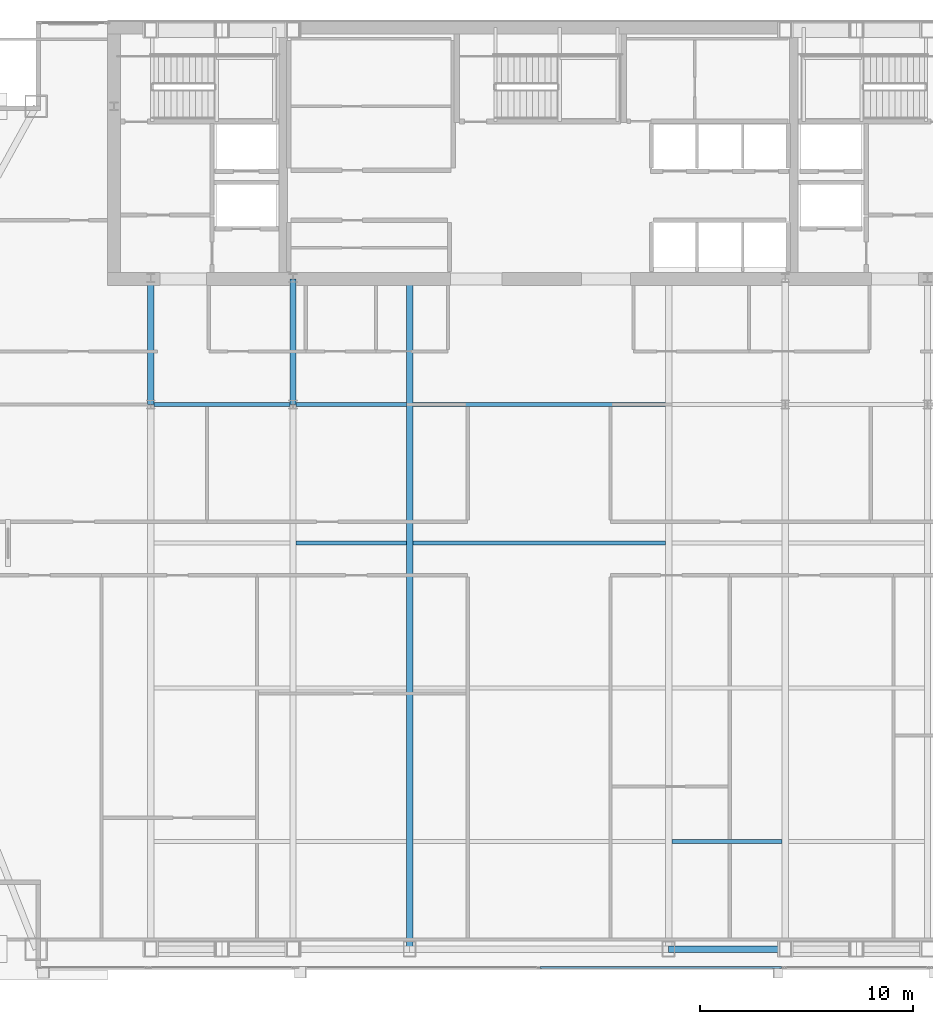
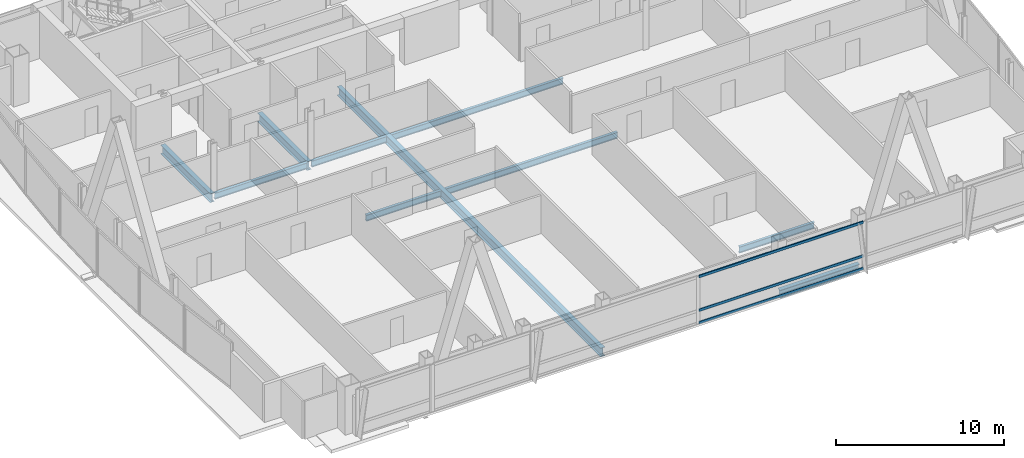
# One storey, part 13 of 30: 10 beams, 3 members, 1 element without a shape of its own.
"""IFC4 building model written with IfcOpenShell, lengths in metres."""

from ifc_helpers import new_model, si_unit, direction, frame, origin, origin_2d, place, context, subcontext, project, spatial, hollow_rectangle, i_section, extrude, material, material_profile, profile_set, type_object, element, aggregate, save


model = new_model("IFC4")

# Units and contexts
model_context = context("Model", 3, precision=1e-05, world=origin(), true_north=direction((0.0, 1.0)))
body_context = subcontext(model_context, "Body", "Model", "MODEL_VIEW")
ifc_project = project(units=[si_unit("LENGTHUNIT", "METRE"), si_unit("AREAUNIT", "SQUARE_METRE"), si_unit("VOLUMEUNIT", "CUBIC_METRE"), si_unit("PLANEANGLEUNIT", "RADIAN"), si_unit("MASSUNIT", "GRAM", prefix="KILO")], contexts=[model_context])

# Site, building, storey
site_placement = place(None, origin())
site = spatial("IfcSite", under=ifc_project, at=site_placement, CompositionType="ELEMENT")
building_placement = place(site_placement, origin())
building = spatial("IfcBuilding", under=site, at=building_placement, Name="Khoronbel Lancet Exchange", CompositionType="ELEMENT")
storey_placement = place(building_placement, frame((0.0, 0.0, 239.0)))
storey = spatial("IfcBuildingStorey", under=building, at=storey_placement, Name="L61", CompositionType="ELEMENT", Elevation=239.0)

# Beams
ifc_material_1 = material(Name="Steel S355", Category="steel")
ifc_material_profile_1 = material_profile(ifc_material_1, i_section(OverallWidth=0.300048828125, OverallDepth=0.64990234375, WebThickness=0.01611328125, FlangeThickness=0.031005859375, at=origin_2d()), Name="HEB 650")
ifc_profile_set_1 = profile_set([ifc_material_profile_1], Name="Steel S355")
beam_type_1 = type_object("IfcBeamType", Name="BM-BG4", PredefinedType="BEAM", material=ifc_profile_set_1)
for number, where, z_axis, x_axis, name in (
    (1, (18.22509765625, 35.699951171875, -0.485107421875), (0.0, 1.0, 0.0), (-1.0, 0.0, 0.0), "Level L61 spine tie girder GN1"),
    (2, (24.89990234375, 35.699951171875, -0.485107421875), (0.0, 1.0, 0.0), (-1.0, 0.0, 0.0), "Level L61 spine tie girder GN2"),
):
    element("IfcBeam", number, at=place(storey_placement, frame(where, z_axis=z_axis, x_axis=x_axis)), inside=storey, type_object=beam_type_1, Name=name, PredefinedType="BEAM", context=body_context, shape_type="SweptSolid", body=[
        extrude(i_section(OverallWidth=0.300048828125, OverallDepth=0.64990234375, WebThickness=0.01611328125, FlangeThickness=0.031005859375, at=origin_2d()), origin(), (0.0, 0.0, 1.0), 5.900146484375),
    ])
beam_1_placement = place(storey_placement, frame((30.375, 10.14990234375, -0.485107421875), z_axis=(0.0, 1.0, 0.0), x_axis=(-1.0, 0.0, 0.0)))
element("IfcBeam", 3, at=beam_1_placement, inside=storey, type_object=beam_type_1, Name="Level L61 primary floor girder G3", PredefinedType="BEAM", context=body_context, shape_type="SweptSolid", body=[
    extrude(i_section(OverallWidth=0.300048828125, OverallDepth=0.64990234375, WebThickness=0.01611328125, FlangeThickness=0.031005859375, at=origin_2d()), origin(), (0.0, 0.0, 1.0), 31.4501953125),
])
ifc_material_profile_2 = material_profile(ifc_material_1, i_section(OverallWidth=0.18994140625, OverallDepth=0.449951171875, WebThickness=0.009521484375, FlangeThickness=0.0146484375, at=origin_2d()), Name="IPE 450")
ifc_profile_set_2 = profile_set([ifc_material_profile_2], Name="Steel S355")
beam_type_2 = type_object("IfcBeamType", Name="BM-BJ4", PredefinedType="JOIST", material=ifc_profile_set_2)
for number, where, z_axis, x_axis, name in (
    (4, (42.675048828125, 15.199951171875, -0.385009765625), (1.0, 0.0, 0.0), (0.0, 1.0, 0.0), "Level L61 secondary composite joist J04"),
    (5, (25.050048828125, 29.199951171875, -0.385009765625), (1.0, 0.0, 0.0), (0.0, 1.0, 0.0), "Level L61 secondary composite joist J12"),
):
    element("IfcBeam", number, at=place(storey_placement, frame(where, z_axis=z_axis, x_axis=x_axis)), inside=storey, type_object=beam_type_2, Name=name, PredefinedType="JOIST", context=body_context, shape_type="SweptSolid", body=[
        extrude(i_section(OverallWidth=0.18994140625, OverallDepth=0.449951171875, WebThickness=0.009521484375, FlangeThickness=0.0146484375, at=origin_2d()), origin(), (0.0, 0.0, 1.0), 5.175048828125),
    ])
beam_2_placement = place(storey_placement, frame((30.52490234375, 29.199951171875, -0.385009765625), z_axis=(1.0, 0.0, 0.0), x_axis=(0.0, 1.0, 0.0)))
element("IfcBeam", 6, at=beam_2_placement, inside=storey, type_object=beam_type_2, Name="Level L61 secondary composite joist J13", PredefinedType="JOIST", context=body_context, shape_type="SweptSolid", body=[
    extrude(i_section(OverallWidth=0.18994140625, OverallDepth=0.449951171875, WebThickness=0.009521484375, FlangeThickness=0.0146484375, at=origin_2d()), origin(), (0.0, 0.0, 1.0), 11.85009765625),
])
beam_3_placement = place(storey_placement, frame((18.375, 35.699951171875, -0.385009765625), z_axis=(1.0, 0.0, 0.0), x_axis=(0.0, 1.0, 0.0)))
element("IfcBeam", 7, at=beam_3_placement, inside=storey, type_object=beam_type_2, Name="Level L61 secondary composite joist J16", PredefinedType="JOIST", context=body_context, shape_type="SweptSolid", body=[
    extrude(i_section(OverallWidth=0.18994140625, OverallDepth=0.449951171875, WebThickness=0.009521484375, FlangeThickness=0.0146484375, at=origin_2d()), origin(), (0.0, 0.0, 1.0), 6.375),
])
beam_4_placement = place(storey_placement, frame((25.050048828125, 35.699951171875, -0.385009765625), z_axis=(1.0, 0.0, 0.0), x_axis=(0.0, 1.0, 0.0)))
element("IfcBeam", 8, at=beam_4_placement, inside=storey, type_object=beam_type_2, Name="Level L61 secondary composite joist J17", PredefinedType="JOIST", context=body_context, shape_type="SweptSolid", body=[
    extrude(i_section(OverallWidth=0.18994140625, OverallDepth=0.449951171875, WebThickness=0.009521484375, FlangeThickness=0.0146484375, at=origin_2d()), origin(), (0.0, 0.0, 1.0), 5.175048828125),
])
beam_5_placement = place(storey_placement, frame((30.52490234375, 35.699951171875, -0.385009765625), z_axis=(1.0, 0.0, 0.0), x_axis=(0.0, 1.0, 0.0)))
element("IfcBeam", 9, at=beam_5_placement, inside=storey, type_object=beam_type_2, Name="Level L61 secondary composite joist J18", PredefinedType="JOIST", context=body_context, shape_type="SweptSolid", body=[
    extrude(i_section(OverallWidth=0.18994140625, OverallDepth=0.449951171875, WebThickness=0.009521484375, FlangeThickness=0.0146484375, at=origin_2d()), origin(), (0.0, 0.0, 1.0), 11.85009765625),
])
ifc_material_profile_3 = material_profile(ifc_material_1, i_section(OverallWidth=0.300048828125, OverallDepth=0.60009765625, WebThickness=0.015380859375, FlangeThickness=0.030029296875, at=origin_2d()), Name="HEB 600")
ifc_profile_set_3 = profile_set([ifc_material_profile_3], Name="Steel S355")
beam_type_3 = type_object("IfcBeamType", Name="BM-BSP2", PredefinedType="SPANDREL", material=ifc_profile_set_3)
beam_6_placement = place(storey_placement, frame((42.52490234375, 10.14990234375, -0.4599609375), z_axis=(1.0, 0.0, 0.0), x_axis=(0.0, 1.0, 0.0)))
element("IfcBeam", 10, at=beam_6_placement, inside=storey, type_object=beam_type_3, Name="Level L61 perimeter spandrel beam SP05", PredefinedType="SPANDREL", context=body_context, shape_type="SweptSolid", body=[
    extrude(i_section(OverallWidth=0.300048828125, OverallDepth=0.60009765625, WebThickness=0.015380859375, FlangeThickness=0.030029296875, at=origin_2d()), origin(), (0.0, 0.0, 1.0), 5.47509765625),
])

# Curtain wall, members
ifc_material_2 = material(Name="Low-E Solar Control Insulating Glass", Category="glass")
curtain_wall_type = type_object("IfcCurtainWallType", Name="CW-3", PredefinedType="NOTDEFINED", material=ifc_material_2)
curtain_wall_placement = place(storey_placement, origin())
curtain_wall = element("IfcCurtainWall", 11, at=curtain_wall_placement, inside=storey, type_object=curtain_wall_type, Name="Unitised curtain wall CW-L61-SCV", PredefinedType="NOTDEFINED")
ifc_material_3 = material(Name="Bronze-Anodised Aluminium 6063-T6", Category="aluminium")
ifc_material_profile_4 = material_profile(ifc_material_3, hollow_rectangle(XDim=0.0849609375, YDim=0.179931640625, WallThickness=0.0048828125, at=origin_2d()), Name="ALU TRANSOM 85x180")
ifc_profile_set_4 = profile_set([ifc_material_profile_4], Name="Bronze-Anodised Aluminium 6063-T6")
member_type = type_object("IfcMemberType", Name="MEM-CWT1", PredefinedType="USERDEFINED", material=ifc_profile_set_4)
member_1_placement = place(storey_placement, frame((36.492431640625, 9.2900390625, 0.04248046875), z_axis=(1.0, 0.0, 0.0), x_axis=(0.0, 1.0, 0.0)))
member_1 = element("IfcMember", 12, at=member_1_placement, type_object=member_type, Name="CW3 transom 2.1", ObjectType="TRANSOM", PredefinedType="USERDEFINED", context=body_context, shape_type="SweptSolid", body=[
    extrude(hollow_rectangle(XDim=0.0849609375, YDim=0.179931640625, WallThickness=0.0048828125, at=origin_2d()), origin(), (0.0, 0.0, 1.0), 11.322509765625),
])
member_2_placement = place(storey_placement, frame((36.492431640625, 9.2900390625, 0.949951171875), z_axis=(1.0, 0.0, 0.0), x_axis=(0.0, 1.0, 0.0)))
member_2 = element("IfcMember", 13, at=member_2_placement, type_object=member_type, Name="CW3 transom 2.2", ObjectType="TRANSOM", PredefinedType="USERDEFINED", context=body_context, shape_type="SweptSolid", body=[
    extrude(hollow_rectangle(XDim=0.0849609375, YDim=0.179931640625, WallThickness=0.0048828125, at=origin_2d()), origin(), (0.0, 0.0, 1.0), 11.322509765625),
])
member_3_placement = place(storey_placement, frame((36.492431640625, 9.2900390625, 3.3974609375), z_axis=(1.0, 0.0, 0.0), x_axis=(0.0, 1.0, 0.0)))
member_3 = element("IfcMember", 14, at=member_3_placement, type_object=member_type, Name="CW3 transom 2.3", ObjectType="TRANSOM", PredefinedType="USERDEFINED", context=body_context, shape_type="SweptSolid", body=[
    extrude(hollow_rectangle(XDim=0.0849609375, YDim=0.179931640625, WallThickness=0.0048828125, at=origin_2d()), origin(), (0.0, 0.0, 1.0), 11.322509765625),
])
aggregate(curtain_wall, [member_1, member_2, member_3])

save(model, "model.ifc")
